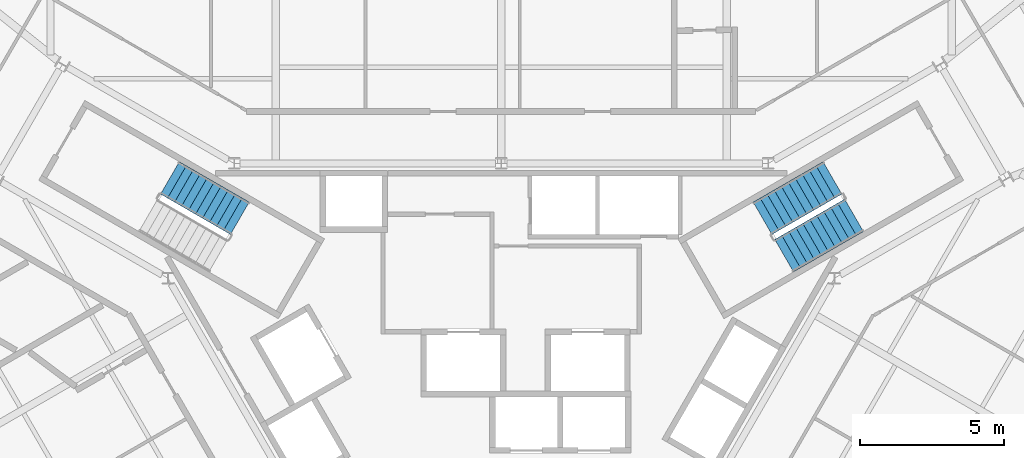
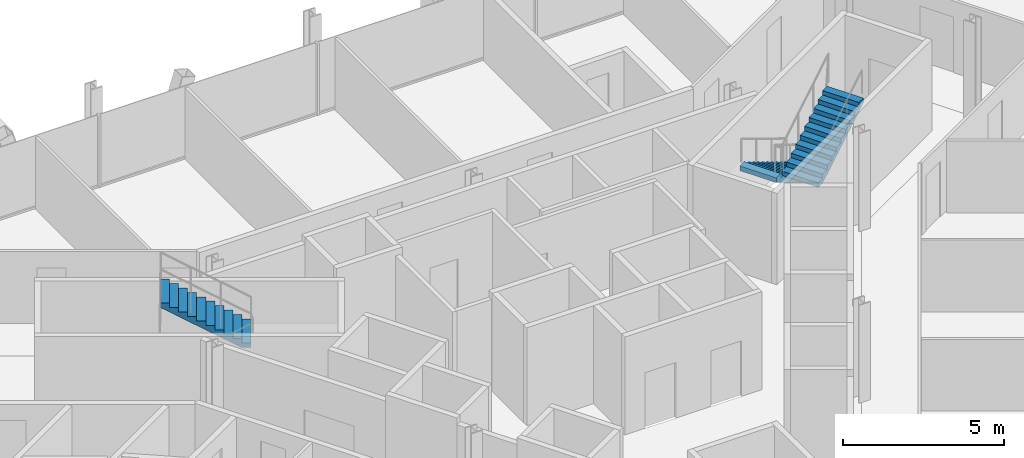
# One storey, part 15 of 17: 3 stair flights, 2 elements without a shape of their own.
"""IFC4 building model written with IfcOpenShell, lengths in metres."""

import ifcopenshell
import ifcopenshell.guid

model = None  # the IFC model being written
_history = None  # IfcOwnerHistory: only IFC2X3 demands one
_inside = {}  # id of a spatial element -> (the spatial element, [elements in it])
_under = {}  # id of a project, library or spatial element -> (it, [spatial elements below it])
_declared = {}  # id of a project -> (the project, [libraries it declares])
_typed = {}  # id of a type object -> (the type object, [elements of that type])
_made_of = {}  # id of a material, layer set ... -> (it, [elements and type objects made of it])


def new_model(schema):
    """Start an empty IFC model of exactly this schema.

    Asked for "IFC4X3", IfcOpenShell would pick the latest addendum, in which some entities
    have other attributes; the version numbers below select the first issue.
    IFC2X3 requires an IfcOwnerHistory on every rooted entity: one is made here for all.
    """
    global model, _history
    if schema == "IFC4X3":
        model = ifcopenshell.file(schema_version=(4, 3, 0, 0))
    else:
        model = ifcopenshell.file(schema=schema)
    _inside.clear()
    _under.clear()
    _declared.clear()
    _typed.clear()
    _made_of.clear()
    _history = None
    if model.schema == "IFC2X3":
        org = make("IfcOrganization", Name="unknown")
        user = make(
            "IfcPersonAndOrganization",
            ThePerson=make("IfcPerson", FamilyName="unknown"),
            TheOrganization=org,
        )
        app = make(
            "IfcApplication",
            ApplicationDeveloper=org,
            Version="unknown",
            ApplicationFullName="unknown",
            ApplicationIdentifier="unknown",
        )
        _history = make(
            "IfcOwnerHistory",
            OwningUser=user,
            OwningApplication=app,
            ChangeAction="ADDED",
            CreationDate=0,
        )
    return model


def make(cls, **values):
    """One entity of the class cls with the attributes given. An attribute that is None is left unset."""
    return model.create_entity(
        cls, **{name: value for name, value in values.items() if value is not None}
    )


def rooted(cls, **values):
    """An entity with a GlobalId (a new one), such as an element, a storey or a relation."""
    return make(cls, GlobalId=ifcopenshell.guid.new(), OwnerHistory=_history, **values)


def si_unit(unit_type, name, prefix=None):
    """IfcSIUnit, for example si_unit("LENGTHUNIT", "METRE", prefix="MILLI")."""
    return make("IfcSIUnit", UnitType=unit_type, Prefix=prefix, Name=name)


def assignment(units):
    """IfcUnitAssignment: the units of a project."""
    return None if units is None else make("IfcUnitAssignment", Units=units)


def point(xyz):
    """IfcCartesianPoint."""
    return None if xyz is None else make("IfcCartesianPoint", Coordinates=xyz)


def direction(xyz):
    """IfcDirection."""
    return None if xyz is None else make("IfcDirection", DirectionRatios=xyz)


def frame(location, z_axis=None, x_axis=None):
    """IfcAxis2Placement3D, a coordinate frame: its origin and axes. An axis left out is left unset."""
    return make(
        "IfcAxis2Placement3D",
        Location=point(location),
        Axis=direction(z_axis),
        RefDirection=direction(x_axis),
    )


def origin():
    """The frame at (0, 0, 0) with its axes left unset."""
    return frame((0.0, 0.0, 0.0))


def place(relative_to, where):
    """IfcLocalPlacement: puts the frame where relative to a parent placement (None: the world)."""
    return make(
        "IfcLocalPlacement", PlacementRelTo=relative_to, RelativePlacement=where
    )


def context(
    kind, dimensions, precision=None, world=None, true_north=None, identifier=None
):
    """IfcGeometricRepresentationContext, for example the 3D "Model" context."""
    return make(
        "IfcGeometricRepresentationContext",
        ContextIdentifier=identifier,
        ContextType=kind,
        CoordinateSpaceDimension=dimensions,
        Precision=precision,
        WorldCoordinateSystem=world,
        TrueNorth=true_north,
    )


def subcontext(parent, identifier, kind, view, scale=None):
    """IfcGeometricRepresentationSubContext, for example "Body" below "Model"."""
    return make(
        "IfcGeometricRepresentationSubContext",
        ContextIdentifier=identifier,
        ContextType=kind,
        ParentContext=parent,
        TargetScale=scale,
        TargetView=view,
    )


def project(units=None, contexts=None):
    """IfcProject with its units and contexts."""
    return rooted(
        "IfcProject",
        Name="project",
        RepresentationContexts=contexts,
        UnitsInContext=assignment(units),
    )


def spatial(cls, under=None, at=None, **own):
    """A site, building, storey or space (cls), placed at a placement, below another one or the project."""
    s = rooted(cls, ObjectPlacement=at, **own)
    if under is not None:
        _under.setdefault(under.id(), (under, []))[1].append(s)
    return s


def polyline(points):
    """IfcPolyline through the points."""
    return make("IfcPolyline", Points=[point(p) for p in points])


def outline(outer, holes=None, kind="AREA"):
    """IfcArbitraryClosedProfileDef: a profile drawn as a closed curve; with holes, ...WithVoids."""
    if holes is None:
        return make("IfcArbitraryClosedProfileDef", ProfileType=kind, OuterCurve=outer)
    return make(
        "IfcArbitraryProfileDefWithVoids",
        ProfileType=kind,
        OuterCurve=outer,
        InnerCurves=holes,
    )


def extrude(swept, where, along, depth):
    """IfcExtrudedAreaSolid: the profile swept, set in the frame where, extruded along a direction by depth."""
    return make(
        "IfcExtrudedAreaSolid",
        SweptArea=swept,
        Position=where,
        ExtrudedDirection=direction(along),
        Depth=depth,
    )


def shape(context_of_items, identifier, shape_type, items):
    """IfcShapeRepresentation: the items that make up one representation, for example the "Body"."""
    return make(
        "IfcShapeRepresentation",
        ContextOfItems=context_of_items,
        RepresentationIdentifier=identifier,
        RepresentationType=shape_type,
        Items=items,
    )


def material(Name=None, Category=None):
    """IfcMaterial."""
    return make("IfcMaterial", Name=Name, Category=Category)


def made_of(thing, what):
    """Note that an element or type object is made of a material, layer set ...; save() writes the relation."""
    if what is not None:
        _made_of.setdefault(what.id(), (what, []))[1].append(thing)
    return thing


def type_object(cls, material=None, **own):
    """A type object (cls), such as IfcWallType, which elements share."""
    return made_of(rooted(cls, **own), material)


def element(
    cls,
    number,
    at=None,
    inside=None,
    cuts=None,
    type_object=None,
    material=None,
    context=None,
    identifier="Body",
    shape_type=None,
    held_by="IfcProductDefinitionShape",
    body=None,
    shapes=None,
    **own,
):
    """One element of the class cls, such as IfcWall. Its Tag is "e" and its number.

    at: its placement. inside: the storey or other place that contains it. cuts: it is an
    opening in that element (IfcRelVoidsElement). A single representation is given by context,
    identifier, shape_type and body (its items); several are given by shapes. held_by: the class
    of the entity that holds the representations. save() writes the other relations.
    """
    e = rooted(cls, Tag="e%d" % number, ObjectPlacement=at, **own)
    if body is not None:
        shapes = [shape(context, identifier, shape_type, body)]
    if shapes is not None:
        e.Representation = make(held_by, Representations=shapes)
    if inside is not None:
        _inside.setdefault(inside.id(), (inside, []))[1].append(e)
    if cuts is not None:
        rooted(
            "IfcRelVoidsElement", RelatingBuildingElement=cuts, RelatedOpeningElement=e
        )
    if type_object is not None:
        _typed.setdefault(type_object.id(), (type_object, []))[1].append(e)
    return made_of(e, material)


def aggregate(whole, parts):
    """IfcRelAggregates: a whole, such as a stair, and the parts it consists of."""
    return rooted("IfcRelAggregates", RelatingObject=whole, RelatedObjects=parts)


def save(model, path):
    """Write the relations noted so far, then the file.

    IfcRelAggregates (storeys below a building ...), IfcRelContainedInSpatialStructure (elements
    in a storey), IfcRelDefinesByType, IfcRelAssociatesMaterial and IfcRelDeclares: one each for
    every whole, place, type object, material and project.
    """
    for whole, parts in _under.values():
        aggregate(whole, parts)
    for where, things in _inside.values():
        rooted(
            "IfcRelContainedInSpatialStructure",
            RelatedElements=things,
            RelatingStructure=where,
        )
    for kind, things in _typed.values():
        rooted("IfcRelDefinesByType", RelatedObjects=things, RelatingType=kind)
    for what, things in _made_of.values():
        rooted("IfcRelAssociatesMaterial", RelatedObjects=things, RelatingMaterial=what)
    for by, libraries in _declared.values():
        rooted("IfcRelDeclares", RelatingContext=by, RelatedDefinitions=libraries)
    model.write(path)


model = new_model("IFC4")

# Units and contexts
model_context = context("Model", 3, precision=1e-05, world=origin(), true_north=direction((0.0, 1.0)))
body_context = subcontext(model_context, "Body", "Model", "MODEL_VIEW")
ifc_project = project(units=[si_unit("LENGTHUNIT", "METRE"), si_unit("AREAUNIT", "SQUARE_METRE"), si_unit("VOLUMEUNIT", "CUBIC_METRE"), si_unit("PLANEANGLEUNIT", "RADIAN"), si_unit("MASSUNIT", "GRAM", prefix="KILO")], contexts=[model_context])

# Site, building, storey
site_placement = place(None, origin())
site = spatial("IfcSite", under=ifc_project, at=site_placement, CompositionType="ELEMENT")
building_placement = place(site_placement, origin())
building = spatial("IfcBuilding", under=site, at=building_placement, Name="Verrane Prism Tower", CompositionType="ELEMENT")
storey_placement = place(building_placement, frame((0.0, 0.0, 182.10009765625)))
storey = spatial("IfcBuildingStorey", under=building, at=storey_placement, Name="L45", CompositionType="ELEMENT", Elevation=182.10009765625)

# Stair, stair flights
ifc_material_1 = material(Name="Concrete C40/50", Category="concrete")
stair_type = type_object("IfcStairType", Name="Exit stair 1300 dog-leg precast concrete C40/50", PredefinedType="HALF_TURN_STAIR", material=ifc_material_1)
stair_1_placement = place(storey_placement, origin())
stair_1 = element("IfcStair", 1, at=stair_1_placement, inside=storey, type_object=stair_type, Name="Stair 1 L45", PredefinedType="HALF_TURN_STAIR")
ifc_material_2 = material(Name="Concrete C40/50", Category="concrete")
stair_flight_type = type_object("IfcStairFlightType", Name="Stair flight 1300 precast concrete C40/50", PredefinedType="STRAIGHT", material=ifc_material_2)
stair_flight_1_placement = place(storey_placement, frame((11.489501953125, 7.49951171875, 0.0), z_axis=(0.0, 0.0, 1.0), x_axis=(-0.866025403784, -0.5, 0.0)))
stair_flight_1 = element("IfcStairFlight", 2, at=stair_flight_1_placement, type_object=stair_flight_type, Name="Stair 1 flight 1", NumberOfRisers=11, NumberOfTreads=10, PredefinedType="STRAIGHT", RiserHeight=0.168181818, TreadLength=0.28, context=body_context, shape_type="SweptSolid", body=[
    extrude(outline(polyline([(0.0, 0.0), (0.0, 0.168212890625), (0.280029296875, 0.168212890625), (0.280029296875, 0.33642578125), (0.56005859375, 0.33642578125), (0.56005859375, 0.504638671875), (0.840087890625, 0.504638671875), (0.840087890625, 0.672607421875), (1.1201171875, 0.672607421875), (1.1201171875, 0.8408203125), (1.39990234375, 0.8408203125), (1.39990234375, 1.009033203125), (1.679931640625, 1.009033203125), (1.679931640625, 1.17724609375), (1.9599609375, 1.17724609375), (1.9599609375, 1.345458984375), (2.239990234375, 1.345458984375), (2.239990234375, 1.513671875), (2.52001953125, 1.513671875), (2.52001953125, 1.681884765625), (2.800048828125, 1.681884765625), (2.800048828125, 1.85009765625), (2.800048828125, 1.5068359375), (0.291015625, 0.0), (0.0, 0.0)])), frame((0.0, 0.64990234375, 0.0), z_axis=(0.0, -1.0, 0.0), x_axis=(1.0, 0.0, 0.0)), (0.0, 0.0, 1.0), 1.300048828125),
])
stair_flight_2_placement = place(storey_placement, frame((9.814697265625, 4.800537109375, 1.849853515625), z_axis=(0.0, 0.0, 1.0), x_axis=(0.866025403784, 0.5, 0.0)))
stair_flight_2 = element("IfcStairFlight", 3, at=stair_flight_2_placement, type_object=stair_flight_type, Name="Stair 1 flight 2", NumberOfRisers=11, NumberOfTreads=10, PredefinedType="STRAIGHT", RiserHeight=0.168181818, TreadLength=0.28, context=body_context, shape_type="SweptSolid", body=[
    extrude(outline(polyline([(0.0, 0.0), (0.0, 0.168212890625), (0.280029296875, 0.168212890625), (0.280029296875, 0.33642578125), (0.56005859375, 0.33642578125), (0.56005859375, 0.504638671875), (0.840087890625, 0.504638671875), (0.840087890625, 0.672607421875), (1.1201171875, 0.672607421875), (1.1201171875, 0.8408203125), (1.39990234375, 0.8408203125), (1.39990234375, 1.009033203125), (1.679931640625, 1.009033203125), (1.679931640625, 1.17724609375), (1.9599609375, 1.17724609375), (1.9599609375, 1.345458984375), (2.239990234375, 1.345458984375), (2.239990234375, 1.513671875), (2.52001953125, 1.513671875), (2.52001953125, 1.681884765625), (2.800048828125, 1.681884765625), (2.800048828125, 1.85009765625), (2.800048828125, 1.5068359375), (0.291015625, 0.0), (0.0, 0.0)])), frame((0.0, 0.64990234375, 0.0), z_axis=(0.0, -1.0, 0.0), x_axis=(1.0, 0.0, 0.0)), (0.0, 0.0, 1.0), 1.300048828125),
])
aggregate(stair_1, [stair_flight_1, stair_flight_2])

# Stair, stair flight
stair_2_placement = place(storey_placement, origin())
stair_2 = element("IfcStair", 4, at=stair_2_placement, inside=storey, type_object=stair_type, Name="Stair 2 L45", PredefinedType="HALF_TURN_STAIR")
stair_flight_3_placement = place(storey_placement, frame((-9.064697265625, 6.099609375, 1.849853515625), z_axis=(0.0, 0.0, 1.0), x_axis=(-0.866025403784, 0.5, 0.0)))
stair_flight_3 = element("IfcStairFlight", 5, at=stair_flight_3_placement, type_object=stair_flight_type, Name="Stair 2 flight 2", NumberOfRisers=11, NumberOfTreads=10, PredefinedType="STRAIGHT", RiserHeight=0.168181818, TreadLength=0.28, context=body_context, shape_type="SweptSolid", body=[
    extrude(outline(polyline([(0.0, 0.0), (0.0, 0.168212890625), (0.280029296875, 0.168212890625), (0.280029296875, 0.33642578125), (0.56005859375, 0.33642578125), (0.56005859375, 0.504638671875), (0.840087890625, 0.504638671875), (0.840087890625, 0.672607421875), (1.1201171875, 0.672607421875), (1.1201171875, 0.8408203125), (1.39990234375, 0.8408203125), (1.39990234375, 1.009033203125), (1.679931640625, 1.009033203125), (1.679931640625, 1.17724609375), (1.9599609375, 1.17724609375), (1.9599609375, 1.345458984375), (2.239990234375, 1.345458984375), (2.239990234375, 1.513671875), (2.52001953125, 1.513671875), (2.52001953125, 1.681884765625), (2.800048828125, 1.681884765625), (2.800048828125, 1.85009765625), (2.800048828125, 1.5068359375), (0.291015625, 0.0), (0.0, 0.0)])), frame((0.0, 0.64990234375, 0.0), z_axis=(0.0, -1.0, 0.0), x_axis=(1.0, 0.0, 0.0)), (0.0, 0.0, 1.0), 1.300048828125),
])
aggregate(stair_2, [stair_flight_3])

save(model, "model.ifc")
